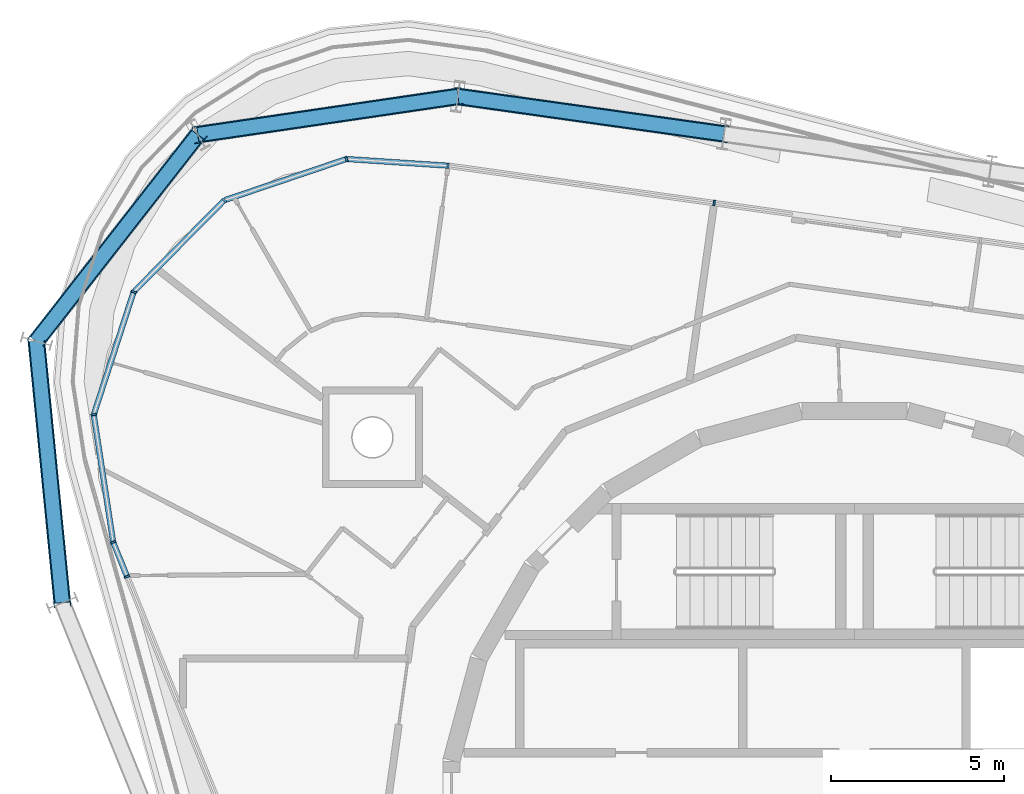
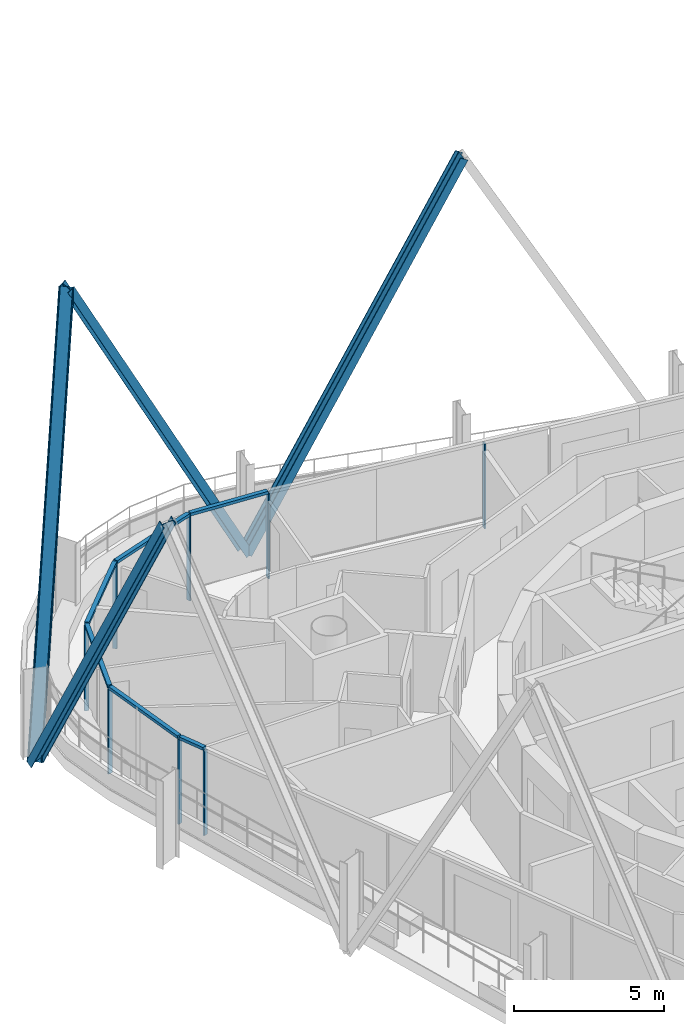
# One storey, part 5 of 17: 18 members, 3 elements without a shape of their own.
"""IFC4 building model written with IfcOpenShell, lengths in metres."""

from ifc_helpers import new_model, si_unit, direction, frame, origin, origin_2d, place, context, subcontext, project, spatial, rectangle, i_section, extrude, material, layer, layer_set, material_profile, profile_set, type_object, element, aggregate, save


model = new_model("IFC4")

# Units and contexts
model_context = context("Model", 3, precision=1e-05, world=origin(), true_north=direction((0.0, 1.0)))
body_context = subcontext(model_context, "Body", "Model", "MODEL_VIEW")
ifc_project = project(units=[si_unit("LENGTHUNIT", "METRE"), si_unit("AREAUNIT", "SQUARE_METRE"), si_unit("VOLUMEUNIT", "CUBIC_METRE"), si_unit("PLANEANGLEUNIT", "RADIAN"), si_unit("MASSUNIT", "GRAM", prefix="KILO")], contexts=[model_context])

# Site, building, storey
site_placement = place(None, origin())
site = spatial("IfcSite", under=ifc_project, at=site_placement, CompositionType="ELEMENT")
building_placement = place(site_placement, origin())
building = spatial("IfcBuilding", under=site, at=building_placement, Name="Spindle Arch Residences", CompositionType="ELEMENT")
storey_placement = place(building_placement, frame((0.0, 0.0, 333.0)))
storey = spatial("IfcBuildingStorey", under=building, at=storey_placement, Name="L85", CompositionType="ELEMENT", Elevation=333.0)

# Curtain wall, member
ifc_material_1 = material(Name="Aluminium bronze unitised frame with tinted glass", Category="aluminium")
ifc_layer_1 = layer(ifc_material_1, 0.159912109375)
ifc_layer_set_1 = layer_set([ifc_layer_1], Name="CW-C typical residential unitised wall")
curtain_wall_type_1 = type_object("IfcCurtainWallType", Name="CW-C typical residential unitised wall", PredefinedType="NOTDEFINED", material=ifc_layer_set_1)
curtain_wall_1_placement = place(storey_placement, origin())
curtain_wall_1 = element("IfcCurtainWall", 1, at=curtain_wall_1_placement, inside=storey, type_object=curtain_wall_type_1, Name="CW-C L85 run 2", PredefinedType="NOTDEFINED")
ifc_material_2 = material(Name="Aluminium bronze anodised mullion", Category="aluminium")
ifc_material_profile_1 = material_profile(ifc_material_2, rectangle(XDim=0.159912109375, YDim=0.06005859375, at=origin_2d()), Name="MU 60x160")
ifc_profile_set_1 = profile_set([ifc_material_profile_1], Name="Aluminium bronze anodised mullion")
member_type_1 = type_object("IfcMemberType", Name="Bronze mullion 60x160", PredefinedType="MULLION", material=ifc_profile_set_1)
member_1_placement = place(storey_placement, frame((-4.0537109375, 17.654296875, -0.449951171875), z_axis=(0.0, 0.0, 1.0), x_axis=(-0.13917310096, -0.990268068742, 0.0)))
member_1 = element("IfcMember", 2, at=member_1_placement, type_object=member_type_1, Name="CW-C mullion 07", PredefinedType="MULLION", context=body_context, shape_type="SweptSolid", body=[
    extrude(rectangle(XDim=0.159912109375, YDim=0.06005859375, at=origin_2d()), origin(), (0.0, 0.0, 1.0), 3.449951171875),
])
aggregate(curtain_wall_1, [member_1])

# Curtain wall, members
ifc_material_3 = material(Name="Aluminium bronze unitised frame with tinted glass", Category="aluminium")
ifc_layer_2 = layer(ifc_material_3, 0.159912109375)
ifc_layer_set_2 = layer_set([ifc_layer_2], Name="CW-D corner wall on the fillet arcs")
curtain_wall_type_2 = type_object("IfcCurtainWallType", Name="CW-D corner wall on the fillet arcs", PredefinedType="NOTDEFINED", material=ifc_layer_set_2)
curtain_wall_2_placement = place(storey_placement, origin())
curtain_wall_2 = element("IfcCurtainWall", 3, at=curtain_wall_2_placement, inside=storey, type_object=curtain_wall_type_2, Name="CW-D L85 run 3", PredefinedType="NOTDEFINED")
member_2_placement = place(storey_placement, frame((-11.74365234375, 18.735107421875, -0.449951171875), z_axis=(0.0, 0.0, 1.0), x_axis=(-0.065509719587, -0.99785193122, 0.0)))
member_2 = element("IfcMember", 4, at=member_2_placement, type_object=member_type_1, Name="CW-D mullion 00", PredefinedType="MULLION", context=body_context, shape_type="SweptSolid", body=[
    extrude(rectangle(XDim=0.159912109375, YDim=0.06005859375, at=origin_2d()), origin(), (0.0, 0.0, 1.0), 3.449951171875),
])
member_3_placement = place(storey_placement, frame((-14.6806640625, 18.927978515625, -0.449951171875), z_axis=(0.0, 0.0, 1.0), x_axis=(0.320061877599, -0.947396640541, 0.0)))
member_3 = element("IfcMember", 5, at=member_3_placement, type_object=member_type_1, Name="CW-D mullion 01", PredefinedType="MULLION", context=body_context, shape_type="SweptSolid", body=[
    extrude(rectangle(XDim=0.159912109375, YDim=0.06005859375, at=origin_2d()), origin(), (0.0, 0.0, 1.0), 3.449951171875),
])
member_4_placement = place(storey_placement, frame((-18.211181640625, 17.735107421875, -0.449951171875), z_axis=(0.0, 0.0, 1.0), x_axis=(0.711208574043, -0.702981055369, 0.0)))
member_4 = element("IfcMember", 6, at=member_4_placement, type_object=member_type_1, Name="CW-D mullion 02", PredefinedType="MULLION", context=body_context, shape_type="SweptSolid", body=[
    extrude(rectangle(XDim=0.159912109375, YDim=0.06005859375, at=origin_2d()), origin(), (0.0, 0.0, 1.0), 3.449951171875),
])
member_5_placement = place(storey_placement, frame((-20.8310546875, 15.084716796875, -0.449951171875), z_axis=(0.0, 0.0, 1.0), x_axis=(0.951056517498, -0.309016990673, 0.0)))
member_5 = element("IfcMember", 7, at=member_5_placement, type_object=member_type_1, Name="CW-D mullion 03", PredefinedType="MULLION", context=body_context, shape_type="SweptSolid", body=[
    extrude(rectangle(XDim=0.159912109375, YDim=0.06005859375, at=origin_2d()), origin(), (0.0, 0.0, 1.0), 3.449951171875),
])
member_6_placement = place(storey_placement, frame((-21.982666015625, 11.540283203125, -0.449951171875), z_axis=(0.0, 0.0, 1.0), x_axis=(0.988581718471, 0.150685718984, 0.0)))
member_6 = element("IfcMember", 8, at=member_6_placement, type_object=member_type_1, Name="CW-D mullion 04", PredefinedType="MULLION", context=body_context, shape_type="SweptSolid", body=[
    extrude(rectangle(XDim=0.159912109375, YDim=0.06005859375, at=origin_2d()), origin(), (0.0, 0.0, 1.0), 3.449951171875),
])
member_7_placement = place(storey_placement, frame((-21.421142578125, 7.856201171875, -0.449951171875), z_axis=(0.0, 0.0, 1.0), x_axis=(0.927183854567, 0.374606593416, 0.0)))
member_7 = element("IfcMember", 9, at=member_7_placement, type_object=member_type_1, Name="CW-D mullion 05", PredefinedType="MULLION", context=body_context, shape_type="SweptSolid", body=[
    extrude(rectangle(XDim=0.159912109375, YDim=0.06005859375, at=origin_2d()), origin(), (0.0, 0.0, 1.0), 3.449951171875),
])

# Curtain wall, member
curtain_wall_3_placement = place(storey_placement, origin())
curtain_wall_3 = element("IfcCurtainWall", 10, at=curtain_wall_3_placement, inside=storey, type_object=curtain_wall_type_1, Name="CW-C L85 run 4", PredefinedType="NOTDEFINED")
member_8_placement = place(storey_placement, frame((-21.019775390625, 6.862548828125, -0.449951171875), z_axis=(0.0, 0.0, 1.0), x_axis=(0.927183854567, 0.374606593416, 0.0)))
member_8 = element("IfcMember", 11, at=member_8_placement, type_object=member_type_1, Name="CW-C mullion 11", PredefinedType="MULLION", context=body_context, shape_type="SweptSolid", body=[
    extrude(rectangle(XDim=0.159912109375, YDim=0.06005859375, at=origin_2d()), origin(), (0.0, 0.0, 1.0), 3.449951171875),
])
aggregate(curtain_wall_3, [member_8])

# Member
ifc_material_4 = material(Name="Aluminium bronze anodised transom", Category="aluminium")
ifc_material_profile_2 = material_profile(ifc_material_4, rectangle(XDim=0.159912109375, YDim=0.1201171875, at=origin_2d()), Name="TR 120x160")
ifc_profile_set_2 = profile_set([ifc_material_profile_2], Name="Aluminium bronze anodised transom")
member_type_2 = type_object("IfcMemberType", Name="Bronze transom 120x160", PredefinedType="USERDEFINED", material=ifc_profile_set_2)
member_9_placement = place(storey_placement, frame((-11.773681640625, 18.737060546875, 3.06005859375), z_axis=(-0.997849873477, 0.065541055844, 0.0), x_axis=(-0.065541055844, -0.997849873477, 0.0)))
member_9 = element("IfcMember", 12, at=member_9_placement, type_object=member_type_2, Name="CW-D transom 00", ObjectType="TRANSOM", PredefinedType="USERDEFINED", context=body_context, shape_type="SweptSolid", body=[
    extrude(rectangle(XDim=0.159912109375, YDim=0.1201171875, at=origin_2d()), origin(), (0.0, 0.0, 1.0), 2.883056640625),
])

member_10_placement = place(storey_placement, frame((-14.708984375, 18.91845703125, 3.06005859375), z_axis=(-0.94739716915, -0.320060312889, 0.0), x_axis=(0.320060312889, -0.94739716915, 0.0)))
member_10 = element("IfcMember", 13, at=member_10_placement, type_object=member_type_2, Name="CW-D transom 01", ObjectType="TRANSOM", PredefinedType="USERDEFINED", context=body_context, shape_type="SweptSolid", body=[
    extrude(rectangle(XDim=0.159912109375, YDim=0.1201171875, at=origin_2d()), origin(), (0.0, 0.0, 1.0), 3.666748046875),
])

member_11_placement = place(storey_placement, frame((-18.232421875, 17.7138671875, 3.06005859375), z_axis=(-0.702966683093, -0.711222779769, 0.0), x_axis=(0.711222779769, -0.702966683093, 0.0)))
member_11 = element("IfcMember", 14, at=member_11_placement, type_object=member_type_2, Name="CW-D transom 02", ObjectType="TRANSOM", PredefinedType="USERDEFINED", context=body_context, shape_type="SweptSolid", body=[
    extrude(rectangle(XDim=0.159912109375, YDim=0.1201171875, at=origin_2d()), origin(), (0.0, 0.0, 1.0), 3.666748046875),
])

member_12_placement = place(storey_placement, frame((-20.84033203125, 15.05615234375, 3.06005859375), z_axis=(-0.309007783623, -0.951059509001, 0.0), x_axis=(0.951059509001, -0.309007783623, 0.0)))
member_12 = element("IfcMember", 15, at=member_12_placement, type_object=member_type_2, Name="CW-D transom 03", ObjectType="TRANSOM", PredefinedType="USERDEFINED", context=body_context, shape_type="SweptSolid", body=[
    extrude(rectangle(XDim=0.159912109375, YDim=0.1201171875, at=origin_2d()), origin(), (0.0, 0.0, 1.0), 3.666748046875),
])

member_13_placement = place(storey_placement, frame((-21.978271484375, 11.5107421875, 3.06005859375), z_axis=(0.150671164407, -0.988583936859, 0.0), x_axis=(0.988583936859, 0.150671164407, 0.0)))
member_13 = element("IfcMember", 16, at=member_13_placement, type_object=member_type_2, Name="CW-D transom 04", ObjectType="TRANSOM", PredefinedType="USERDEFINED", context=body_context, shape_type="SweptSolid", body=[
    extrude(rectangle(XDim=0.159912109375, YDim=0.1201171875, at=origin_2d()), origin(), (0.0, 0.0, 1.0), 3.666748046875),
])

member_14_placement = place(storey_placement, frame((-21.409912109375, 7.828369140625, 3.06005859375), z_axis=(0.374550833754, -0.927206380982, 0.0), x_axis=(0.927206380982, 0.374550833754, 0.0)))
member_14 = element("IfcMember", 17, at=member_14_placement, type_object=member_type_2, Name="CW-D transom 05", ObjectType="TRANSOM", PredefinedType="USERDEFINED", context=body_context, shape_type="SweptSolid", body=[
    extrude(rectangle(XDim=0.159912109375, YDim=0.1201171875, at=origin_2d()), origin(), (0.0, 0.0, 1.0), 1.01171875),
])

aggregate(curtain_wall_2, [member_2, member_9, member_3, member_10, member_4, member_11, member_5, member_12, member_6, member_13, member_7, member_14])

# Members
ifc_material_5 = material(Name="Steel S460ML, intumescent coating R 240", Category="steel")
ifc_material_profile_3 = material_profile(ifc_material_5, i_section(OverallWidth=0.300048828125, OverallDepth=0.5, WebThickness=0.014404296875, FlangeThickness=0.028076171875, FilletRadius=0.027099609375, at=origin_2d()), Name="HEB 500")
ifc_profile_set_3 = profile_set([ifc_material_profile_3], Name="Steel S460ML, intumescent coating R 240")
member_type_3 = type_object("IfcMemberType", Name="Diagrid diagonal HEB 500", PredefinedType="BRACE", material=ifc_profile_set_3)
member_15_placement = place(storey_placement, frame((-11.462646484375, 20.735595703125, -0.699951171875), z_axis=(0.478504364303, -0.067253121492, 0.875505905744), x_axis=(-0.86698461383, 0.121853479123, 0.483207418204)))
element("IfcMember", 18, at=member_15_placement, inside=storey, type_object=member_type_3, Name="Diagrid diagonal 9.1.8", PredefinedType="BRACE", context=body_context, shape_type="SweptSolid", body=[
    extrude(i_section(OverallWidth=0.300048828125, OverallDepth=0.5, WebThickness=0.014404296875, FlangeThickness=0.028076171875, FilletRadius=0.027099609375, at=origin_2d()), origin(), (0.0, 0.0, 1.0), 16.07080078125),
])
member_16_placement = place(storey_placement, frame((-11.462646484375, 20.735595703125, -0.699951171875), z_axis=(-0.469899489351, -0.069019780063, 0.880017465661), x_axis=(0.870675466328, 0.1278865599, 0.474941322831)))
element("IfcMember", 19, at=member_16_placement, inside=storey, type_object=member_type_3, Name="Diagrid diagonal 9.1.9", PredefinedType="BRACE", context=body_context, shape_type="SweptSolid", body=[
    extrude(i_section(OverallWidth=0.300048828125, OverallDepth=0.5, WebThickness=0.014404296875, FlangeThickness=0.028076171875, FilletRadius=0.027099609375, at=origin_2d()), origin(), (0.0, 0.0, 1.0), 15.98828125),
])
member_17_placement = place(storey_placement, frame((-23.6396484375, 13.662353515625, -0.699951171875), z_axis=(0.291870149254, 0.37357667973, 0.880484117027), x_axis=(-0.542080218514, -0.69383089945, 0.474075647618)))
element("IfcMember", 20, at=member_17_placement, inside=storey, type_object=member_type_3, Name="Diagrid diagonal 9.1.10", PredefinedType="BRACE", context=body_context, shape_type="SweptSolid", body=[
    extrude(i_section(OverallWidth=0.300048828125, OverallDepth=0.5, WebThickness=0.014404296875, FlangeThickness=0.028076171875, FilletRadius=0.027099609375, at=origin_2d()), origin(), (0.0, 0.0, 1.0), 15.97998046875),
])
member_18_placement = place(storey_placement, frame((-23.6396484375, 13.662353515625, -0.699951171875), z_axis=(0.046725878499, -0.47263378801, 0.880019314964), x_axis=(-0.086579057837, 0.875749999403, 0.474937896245)))
element("IfcMember", 21, at=member_18_placement, inside=storey, type_object=member_type_3, Name="Diagrid diagonal 9.1.11", PredefinedType="BRACE", context=body_context, shape_type="SweptSolid", body=[
    extrude(i_section(OverallWidth=0.300048828125, OverallDepth=0.5, WebThickness=0.014404296875, FlangeThickness=0.028076171875, FilletRadius=0.027099609375, at=origin_2d()), origin(), (0.0, 0.0, 1.0), 15.98828125),
])

save(model, "model.ifc")
